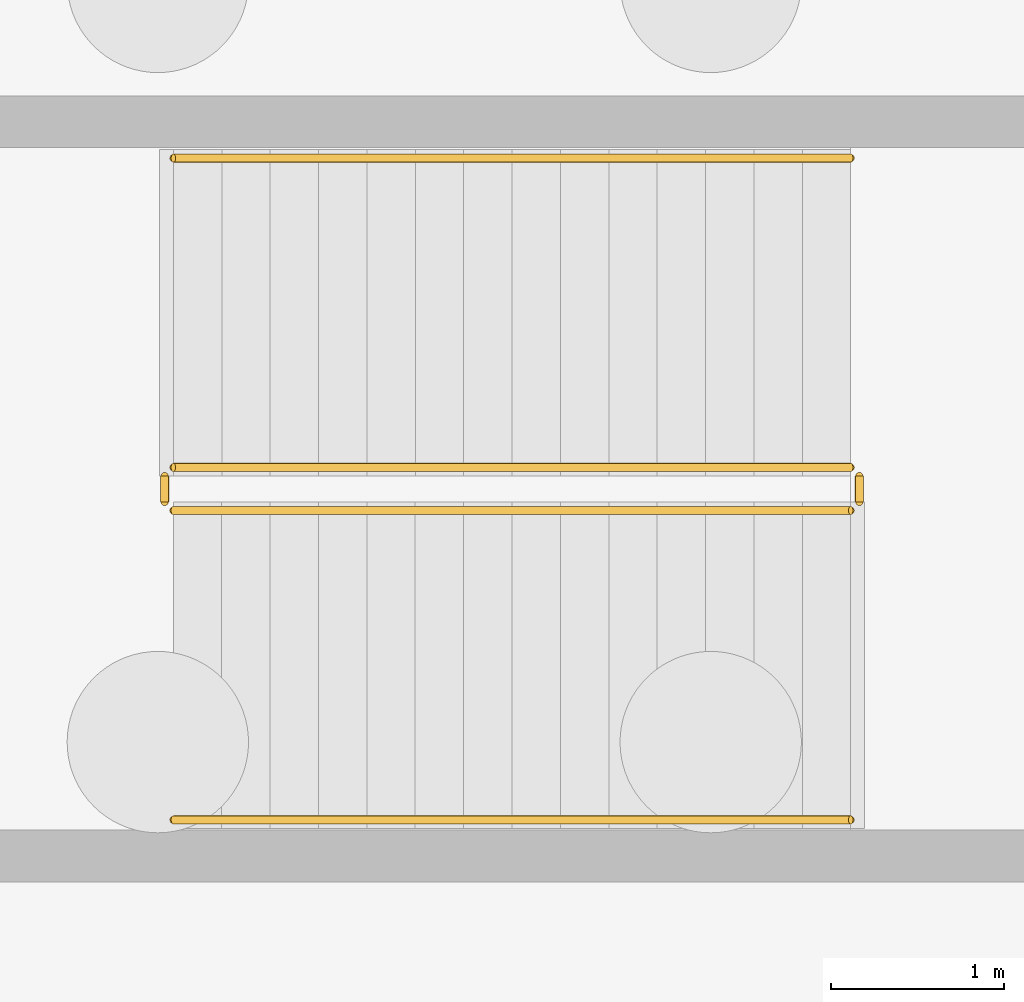
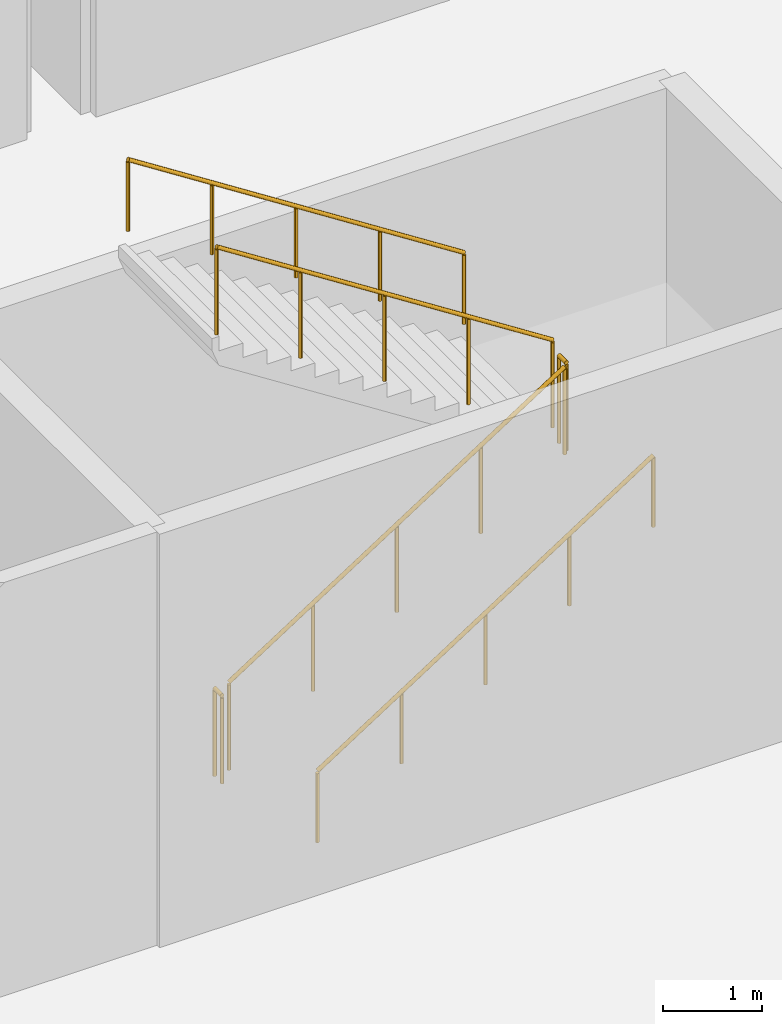
# One storey, part 18 of 19: 6 railings.
"""IFC4 building model written with IfcOpenShell, lengths in metres."""

from ifc_helpers import new_model, si_unit, direction, frame, origin, origin_2d, place, context, subcontext, project, spatial, circle, extrude, material, type_object, element, save


model = new_model("IFC4")

# Units and contexts
model_context = context("Model", 3, precision=1e-05, world=origin(), true_north=direction((0.0, 1.0)))
body_context = subcontext(model_context, "Body", "Model", "MODEL_VIEW")
ifc_project = project(units=[si_unit("LENGTHUNIT", "METRE"), si_unit("AREAUNIT", "SQUARE_METRE"), si_unit("VOLUMEUNIT", "CUBIC_METRE"), si_unit("PLANEANGLEUNIT", "RADIAN"), si_unit("MASSUNIT", "GRAM", prefix="KILO")], contexts=[model_context])

# Site, building, storey
site_placement = place(None, origin())
site = spatial("IfcSite", under=ifc_project, at=site_placement, CompositionType="ELEMENT")
building_placement = place(site_placement, origin())
building = spatial("IfcBuilding", under=site, at=building_placement, Name="Mirzam Square Science Centre", CompositionType="ELEMENT")
storey_placement = place(building_placement, frame((0.0, 0.0, -5.39990234375)))
storey = spatial("IfcBuildingStorey", under=building, at=storey_placement, Name="B01", CompositionType="ELEMENT", Elevation=-5.39990234375)

# Railings
ifc_material_1 = material(Name="Bronze-Anodised Architectural Balustrade", Category="aluminium")
railing_type_1 = type_object("IfcRailingType", Name="RL-INT-GUARD-1100", PredefinedType="GUARDRAIL", material=ifc_material_1)
railing_1_placement = place(storey_placement, frame((76.68994140625, 51.840087890625, 0.179931640625)))
element("IfcRailing", 1, at=railing_1_placement, inside=storey, type_object=railing_type_1, Name="B01 ST-03 stair guard 1", PredefinedType="GUARDRAIL", context=body_context, shape_type="SweptSolid", body=[
    extrude(circle(Radius=0.02392578125, at=origin_2d()), frame((0.0, 0.0, 1.076171875), z_axis=(0.841186985886, 0.0, 0.540744352514), x_axis=(0.0, 1.0, 0.0)), (0.0, 0.0, 1.0), 4.660400390625),
    extrude(circle(Radius=0.02099609375, at=origin_2d()), origin(), (0.0, 0.0, 1.0), 1.052001953125),
    extrude(circle(Radius=0.02099609375, at=origin_2d()), frame((0.97998046875, 0.0, 0.6298828125)), (0.0, 0.0, 1.0), 1.052001953125),
    extrude(circle(Radius=0.02099609375, at=origin_2d()), frame((1.9599609375, 0.0, 1.260009765625)), (0.0, 0.0, 1.0), 1.052001953125),
    extrude(circle(Radius=0.02099609375, at=origin_2d()), frame((2.940185546875, 0.0, 1.89013671875)), (0.0, 0.0, 1.0), 1.052001953125),
    extrude(circle(Radius=0.02099609375, at=origin_2d()), frame((3.920166015625, 0.0, 2.52001953125)), (0.0, 0.0, 1.0), 1.052001953125),
])
railing_2_placement = place(storey_placement, frame((80.659912109375, 51.889892578125, 2.699951171875)))
element("IfcRailing", 2, at=railing_2_placement, inside=storey, type_object=railing_type_1, Name="B01 ST-03 stair guard 2", PredefinedType="GUARDRAIL", context=body_context, shape_type="SweptSolid", body=[
    extrude(circle(Radius=0.02392578125, at=origin_2d()), frame((0.0, 0.0, 1.076171875), z_axis=(0.0, 1.0, 0.0), x_axis=(-1.0, 0.0, 0.0)), (0.0, 0.0, 1.0), 0.150146484375),
    extrude(circle(Radius=0.02099609375, at=origin_2d()), origin(), (0.0, 0.0, 1.0), 1.052001953125),
    extrude(circle(Radius=0.02099609375, at=origin_2d()), frame((0.0, 0.150146484375, 0.0)), (0.0, 0.0, 1.0), 1.052001953125),
])
railing_3_placement = place(storey_placement, frame((80.610107421875, 52.090087890625, 2.8798828125)))
element("IfcRailing", 3, at=railing_3_placement, inside=storey, type_object=railing_type_1, Name="B01 ST-03 stair guard 3", PredefinedType="GUARDRAIL", context=body_context, shape_type="SweptSolid", body=[
    extrude(circle(Radius=0.02392578125, at=origin_2d()), frame((0.0, 0.0, 1.076171875), z_axis=(-0.841186985886, 0.0, 0.540744352514), x_axis=(0.0, -1.0, 0.0)), (0.0, 0.0, 1.0), 4.660400390625),
    extrude(circle(Radius=0.02099609375, at=origin_2d()), origin(), (0.0, 0.0, 1.0), 1.052001953125),
    extrude(circle(Radius=0.02099609375, at=origin_2d()), frame((-0.97998046875, 0.0, 0.6298828125)), (0.0, 0.0, 1.0), 1.052001953125),
    extrude(circle(Radius=0.02099609375, at=origin_2d()), frame((-1.9599609375, 0.0, 1.260009765625)), (0.0, 0.0, 1.0), 1.052001953125),
    extrude(circle(Radius=0.02099609375, at=origin_2d()), frame((-2.940185546875, 0.0, 1.89013671875)), (0.0, 0.0, 1.0), 1.052001953125),
    extrude(circle(Radius=0.02099609375, at=origin_2d()), frame((-3.920166015625, 0.0, 2.52001953125)), (0.0, 0.0, 1.0), 1.052001953125),
])
railing_4_placement = place(storey_placement, frame((76.639892578125, 51.889892578125, 0.0)))
element("IfcRailing", 4, at=railing_4_placement, inside=storey, type_object=railing_type_1, Name="B01 ST-03 stair guard 4", PredefinedType="GUARDRAIL", context=body_context, shape_type="SweptSolid", body=[
    extrude(circle(Radius=0.02392578125, at=origin_2d()), frame((0.0, 0.0, 1.076171875), z_axis=(0.0, 1.0, 0.0), x_axis=(-1.0, 0.0, 0.0)), (0.0, 0.0, 1.0), 0.150146484375),
    extrude(circle(Radius=0.02099609375, at=origin_2d()), origin(), (0.0, 0.0, 1.0), 1.052001953125),
    extrude(circle(Radius=0.02099609375, at=origin_2d()), frame((0.0, 0.150146484375, 0.0)), (0.0, 0.0, 1.0), 1.052001953125),
])
ifc_material_2 = material(Name="Brushed Bronze Tubular Handrail", Category="aluminium")
railing_type_2 = type_object("IfcRailingType", Name="RL-STAIR-HANDRAIL-900", PredefinedType="HANDRAIL", material=ifc_material_2)
railing_5_placement = place(storey_placement, frame((76.68994140625, 50.050048828125, 0.371826171875)))
element("IfcRailing", 5, at=railing_5_placement, inside=storey, type_object=railing_type_2, Name="B01 ST-03 stair handrail 1", PredefinedType="HANDRAIL", context=body_context, shape_type="SweptSolid", body=[
    extrude(circle(Radius=0.02392578125, at=origin_2d()), frame((0.0, 0.0, 0.8759765625), z_axis=(0.841186985886, 0.0, 0.540744352514), x_axis=(0.0, 1.0, 0.0)), (0.0, 0.0, 1.0), 4.660400390625),
    extrude(circle(Radius=0.02099609375, at=origin_2d()), origin(), (0.0, 0.0, 1.0), 0.851806640625),
    extrude(circle(Radius=0.02099609375, at=origin_2d()), frame((0.97998046875, 0.0, 0.6298828125)), (0.0, 0.0, 1.0), 0.851806640625),
    extrude(circle(Radius=0.02099609375, at=origin_2d()), frame((1.9599609375, 0.0, 1.260009765625)), (0.0, 0.0, 1.0), 0.851806640625),
    extrude(circle(Radius=0.02099609375, at=origin_2d()), frame((2.940185546875, 0.0, 1.89013671875)), (0.0, 0.0, 1.0), 0.851806640625),
    extrude(circle(Radius=0.02099609375, at=origin_2d()), frame((3.920166015625, 0.0, 2.52001953125)), (0.0, 0.0, 1.0), 0.851806640625),
])
railing_6_placement = place(storey_placement, frame((80.610107421875, 53.8798828125, 3.072021484375)))
element("IfcRailing", 6, at=railing_6_placement, inside=storey, type_object=railing_type_2, Name="B01 ST-03 stair handrail 2", PredefinedType="HANDRAIL", context=body_context, shape_type="SweptSolid", body=[
    extrude(circle(Radius=0.02392578125, at=origin_2d()), frame((0.0, 0.0, 0.8759765625), z_axis=(-0.841210815121, 0.0, 0.540707281738), x_axis=(0.0, -1.0, 0.0)), (0.0, 0.0, 1.0), 4.66015625),
    extrude(circle(Radius=0.02099609375, at=origin_2d()), origin(), (0.0, 0.0, 1.0), 0.851806640625),
    extrude(circle(Radius=0.02099609375, at=origin_2d()), frame((-0.97998046875, 0.0, 0.6298828125)), (0.0, 0.0, 1.0), 0.851806640625),
    extrude(circle(Radius=0.02099609375, at=origin_2d()), frame((-1.9599609375, 0.0, 1.259765625)), (0.0, 0.0, 1.0), 0.851806640625),
    extrude(circle(Radius=0.02099609375, at=origin_2d()), frame((-2.940185546875, 0.0, 1.889892578125)), (0.0, 0.0, 1.0), 0.851806640625),
    extrude(circle(Radius=0.02099609375, at=origin_2d()), frame((-3.920166015625, 0.0, 2.519775390625)), (0.0, 0.0, 1.0), 0.851806640625),
])

save(model, "model.ifc")
